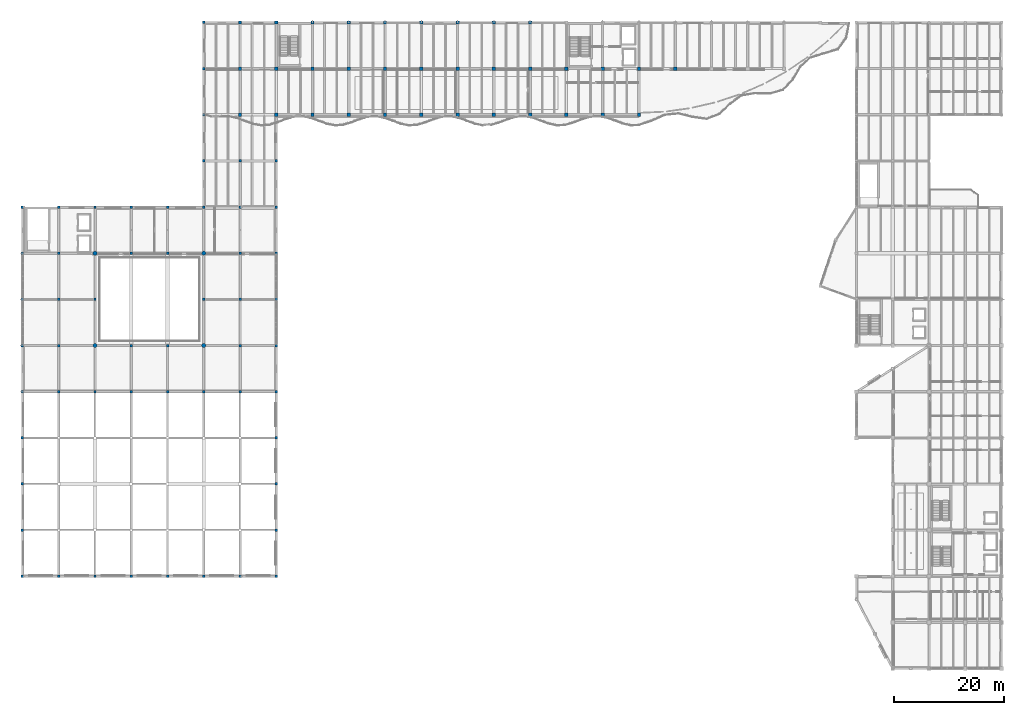
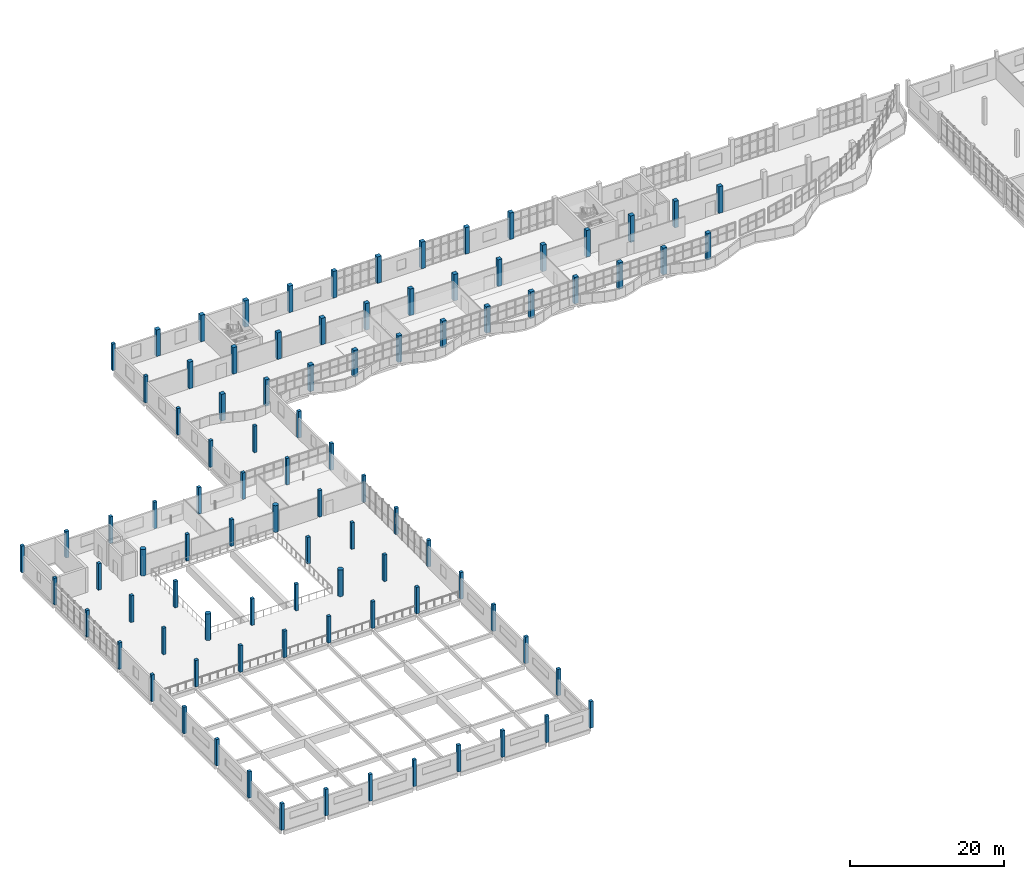
# One storey, part 1 of 74: 92 columns.
"""IFC4 building model written with IfcOpenShell, lengths in metres."""

from ifc_helpers import new_model, si_unit, direction, frame, origin, origin_2d, place, context, subcontext, project, spatial, rectangle, circle, extrude, material, material_profile, profile_set, type_object, element, save


model = new_model("IFC4")

# Units and contexts
model_context = context("Model", 3, precision=1e-05, world=origin(), true_north=direction((0.0, 1.0)))
body_context = subcontext(model_context, "Body", "Model", "MODEL_VIEW")
ifc_project = project(units=[si_unit("LENGTHUNIT", "METRE"), si_unit("AREAUNIT", "SQUARE_METRE"), si_unit("VOLUMEUNIT", "CUBIC_METRE"), si_unit("PLANEANGLEUNIT", "RADIAN"), si_unit("MASSUNIT", "GRAM", prefix="KILO")], contexts=[model_context])

# Site, building, storey
site_placement = place(None, origin())
site = spatial("IfcSite", under=ifc_project, at=site_placement, CompositionType="ELEMENT")
building_placement = place(site_placement, origin())
building = spatial("IfcBuilding", under=site, at=building_placement, Name="Qaldarim Faculty of Natural and Applied Sciences", CompositionType="ELEMENT")
storey_placement = place(building_placement, frame((0.0, 0.0, 14.39990234375)))
storey = spatial("IfcBuildingStorey", under=building, at=storey_placement, Name="L03", CompositionType="ELEMENT", Elevation=14.39990234375)

# Columns
ifc_material_1 = material(Name="Concrete C50/60", Category="concrete")
ifc_material_profile_1 = material_profile(ifc_material_1, circle(Radius=0.375, at=origin_2d()), Name="RC-D750")
ifc_profile_set_1 = profile_set([ifc_material_profile_1], Name="Concrete C50/60")
column_type_1 = type_object("IfcColumnType", Name="AtriumPier-RCD750", PredefinedType="COLUMN", material=ifc_profile_set_1)
for number, where, z_axis, x_axis, name in (
    (1, (13.199951171875, 58.800048828125, 0.0), (0.0, 0.0, 1.0), (1.0, 0.0, 0.0), "Column X03/Y08 L03"),
    (2, (13.199951171875, 75.60009765625, 0.0), (0.0, 0.0, 1.0), (1.0, 0.0, 0.0), "Column X03/Y10 L03"),
    (3, (33.0, 58.800048828125, 0.0), (0.0, 0.0, 1.0), (1.0, 0.0, 0.0), "Column X06/Y08 L03"),
    (4, (33.0, 75.60009765625, 0.0), (0.0, 0.0, 1.0), (1.0, 0.0, 0.0), "Column X06/Y10 L03"),
):
    element("IfcColumn", number, at=place(storey_placement, frame(where, z_axis=z_axis, x_axis=x_axis)), inside=storey, type_object=column_type_1, Name=name, PredefinedType="COLUMN", context=body_context, shape_type="SweptSolid", body=[
        extrude(circle(Radius=0.375, at=origin_2d()), origin(), (0.0, 0.0, 1.0), 4.2001953125),
    ])
ifc_material_2 = material(Name="Concrete C40/50", Category="concrete")
ifc_material_profile_2 = material_profile(ifc_material_2, rectangle(XDim=0.449951171875, YDim=0.449951171875, at=origin_2d()), Name="RC-C450x450")
ifc_profile_set_2 = profile_set([ifc_material_profile_2], Name="Concrete C40/50")
column_type_2 = type_object("IfcColumnType", Name="Column-RC450x450", PredefinedType="COLUMN", material=ifc_profile_set_2)
for number, where, z_axis, x_axis, name in (
    (5, (0.0, 16.800048828125, 0.0), (0.0, 0.0, 1.0), (1.0, 0.0, 0.0), "Column X01/Y03 L03"),
    (6, (0.0, 25.199951171875, 0.0), (0.0, 0.0, 1.0), (1.0, 0.0, 0.0), "Column X01/Y04 L03"),
    (7, (0.0, 33.60009765625, 0.0), (0.0, 0.0, 1.0), (1.0, 0.0, 0.0), "Column X01/Y05 L03"),
    (8, (0.0, 42.0, 0.0), (0.0, 0.0, 1.0), (1.0, 0.0, 0.0), "Column X01/Y06 L03"),
    (9, (0.0, 50.39990234375, 0.0), (0.0, 0.0, 1.0), (1.0, 0.0, 0.0), "Column X01/Y07 L03"),
    (10, (0.0, 58.800048828125, 0.0), (0.0, 0.0, 1.0), (1.0, 0.0, 0.0), "Column X01/Y08 L03"),
    (11, (0.0, 67.199951171875, 0.0), (0.0, 0.0, 1.0), (1.0, 0.0, 0.0), "Column X01/Y09 L03"),
    (12, (0.0, 75.60009765625, 0.0), (0.0, 0.0, 1.0), (1.0, 0.0, 0.0), "Column X01/Y10 L03"),
    (13, (0.0, 84.0, 0.0), (0.0, 0.0, 1.0), (1.0, 0.0, 0.0), "Column X01/Y11 L03"),
    (14, (6.60009765625, 16.800048828125, 0.0), (0.0, 0.0, 1.0), (1.0, 0.0, 0.0), "Column X02/Y03 L03"),
    (15, (6.60009765625, 50.39990234375, 0.0), (0.0, 0.0, 1.0), (1.0, 0.0, 0.0), "Column X02/Y07 L03"),
    (16, (6.60009765625, 58.800048828125, 0.0), (0.0, 0.0, 1.0), (1.0, 0.0, 0.0), "Column X02/Y08 L03"),
    (17, (6.60009765625, 67.199951171875, 0.0), (0.0, 0.0, 1.0), (1.0, 0.0, 0.0), "Column X02/Y09 L03"),
    (18, (6.60009765625, 75.60009765625, 0.0), (0.0, 0.0, 1.0), (1.0, 0.0, 0.0), "Column X02/Y10 L03"),
    (19, (6.60009765625, 84.0, 0.0), (0.0, 0.0, 1.0), (1.0, 0.0, 0.0), "Column X02/Y11 L03"),
    (20, (13.199951171875, 16.800048828125, 0.0), (0.0, 0.0, 1.0), (1.0, 0.0, 0.0), "Column X03/Y03 L03"),
    (21, (13.199951171875, 50.39990234375, 0.0), (0.0, 0.0, 1.0), (1.0, 0.0, 0.0), "Column X03/Y07 L03"),
    (22, (13.199951171875, 67.199951171875, 0.0), (0.0, 0.0, 1.0), (1.0, 0.0, 0.0), "Column X03/Y09 L03"),
    (23, (13.199951171875, 84.0, 0.0), (0.0, 0.0, 1.0), (1.0, 0.0, 0.0), "Column X03/Y11 L03"),
    (24, (19.800048828125, 16.800048828125, 0.0), (0.0, 0.0, 1.0), (1.0, 0.0, 0.0), "Column X04/Y03 L03"),
    (25, (19.800048828125, 50.39990234375, 0.0), (0.0, 0.0, 1.0), (1.0, 0.0, 0.0), "Column X04/Y07 L03"),
    (26, (19.800048828125, 58.800048828125, 0.0), (0.0, 0.0, 1.0), (1.0, 0.0, 0.0), "Column X04/Y08 L03"),
    (27, (19.800048828125, 75.60009765625, 0.0), (0.0, 0.0, 1.0), (1.0, 0.0, 0.0), "Column X04/Y10 L03"),
    (28, (19.800048828125, 84.0, 0.0), (0.0, 0.0, 1.0), (1.0, 0.0, 0.0), "Column X04/Y11 L03"),
    (29, (26.39990234375, 16.800048828125, 0.0), (0.0, 0.0, 1.0), (1.0, 0.0, 0.0), "Column X05/Y03 L03"),
    (30, (26.39990234375, 50.39990234375, 0.0), (0.0, 0.0, 1.0), (1.0, 0.0, 0.0), "Column X05/Y07 L03"),
    (31, (26.39990234375, 58.800048828125, 0.0), (0.0, 0.0, 1.0), (1.0, 0.0, 0.0), "Column X05/Y08 L03"),
    (32, (26.39990234375, 75.60009765625, 0.0), (0.0, 0.0, 1.0), (1.0, 0.0, 0.0), "Column X05/Y10 L03"),
    (33, (26.39990234375, 84.0, 0.0), (0.0, 0.0, 1.0), (1.0, 0.0, 0.0), "Column X05/Y11 L03"),
    (34, (33.0, 16.800048828125, 0.0), (0.0, 0.0, 1.0), (1.0, 0.0, 0.0), "Column X06/Y03 L03"),
    (35, (33.0, 50.39990234375, 0.0), (0.0, 0.0, 1.0), (1.0, 0.0, 0.0), "Column X06/Y07 L03"),
    (36, (33.0, 67.199951171875, 0.0), (0.0, 0.0, 1.0), (1.0, 0.0, 0.0), "Column X06/Y09 L03"),
    (37, (33.0, 84.0, 0.0), (0.0, 0.0, 1.0), (1.0, 0.0, 0.0), "Column X06/Y11 L03"),
    (38, (33.0, 92.39990234375, 0.0), (0.0, 0.0, 1.0), (1.0, 0.0, 0.0), "Column X06/Y12 L03"),
    (39, (33.0, 100.800048828125, 0.0), (0.0, 0.0, 1.0), (1.0, 0.0, 0.0), "Column X06/Y13 L03"),
    (40, (33.0, 109.199951171875, 0.0), (0.0, 0.0, 1.0), (1.0, 0.0, 0.0), "Column X06/Y14 L03"),
    (41, (33.0, 117.60009765625, 0.0), (0.0, 0.0, 1.0), (1.0, 0.0, 0.0), "Column X06/Y15 L03"),
    (42, (39.60009765625, 16.800048828125, 0.0), (0.0, 0.0, 1.0), (1.0, 0.0, 0.0), "Column X07/Y03 L03"),
    (43, (39.60009765625, 50.39990234375, 0.0), (0.0, 0.0, 1.0), (1.0, 0.0, 0.0), "Column X07/Y07 L03"),
    (44, (39.60009765625, 58.800048828125, 0.0), (0.0, 0.0, 1.0), (1.0, 0.0, 0.0), "Column X07/Y08 L03"),
    (45, (39.60009765625, 67.199951171875, 0.0), (0.0, 0.0, 1.0), (1.0, 0.0, 0.0), "Column X07/Y09 L03"),
    (46, (39.60009765625, 75.60009765625, 0.0), (0.0, 0.0, 1.0), (1.0, 0.0, 0.0), "Column X07/Y10 L03"),
    (47, (39.60009765625, 84.0, 0.0), (0.0, 0.0, 1.0), (1.0, 0.0, 0.0), "Column X07/Y11 L03"),
    (48, (39.60009765625, 92.39990234375, 0.0), (0.0, 0.0, 1.0), (1.0, 0.0, 0.0), "Column X07/Y12 L03"),
    (49, (46.199951171875, 16.800048828125, 0.0), (0.0, 0.0, 1.0), (1.0, 0.0, 0.0), "Column X08/Y03 L03"),
    (50, (46.199951171875, 25.199951171875, 0.0), (0.0, 0.0, 1.0), (1.0, 0.0, 0.0), "Column X08/Y04 L03"),
    (51, (46.199951171875, 33.60009765625, 0.0), (0.0, 0.0, 1.0), (1.0, 0.0, 0.0), "Column X08/Y05 L03"),
    (52, (46.199951171875, 42.0, 0.0), (0.0, 0.0, 1.0), (1.0, 0.0, 0.0), "Column X08/Y06 L03"),
    (53, (46.199951171875, 50.39990234375, 0.0), (0.0, 0.0, 1.0), (1.0, 0.0, 0.0), "Column X08/Y07 L03"),
    (54, (46.199951171875, 58.800048828125, 0.0), (0.0, 0.0, 1.0), (1.0, 0.0, 0.0), "Column X08/Y08 L03"),
    (55, (46.199951171875, 67.199951171875, 0.0), (0.0, 0.0, 1.0), (1.0, 0.0, 0.0), "Column X08/Y09 L03"),
    (56, (46.199951171875, 75.60009765625, 0.0), (0.0, 0.0, 1.0), (1.0, 0.0, 0.0), "Column X08/Y10 L03"),
    (57, (46.199951171875, 84.0, 0.0), (0.0, 0.0, 1.0), (1.0, 0.0, 0.0), "Column X08/Y11 L03"),
    (58, (46.199951171875, 92.39990234375, 0.0), (0.0, 0.0, 1.0), (1.0, 0.0, 0.0), "Column X08/Y12 L03"),
):
    element("IfcColumn", number, at=place(storey_placement, frame(where, z_axis=z_axis, x_axis=x_axis)), inside=storey, type_object=column_type_2, Name=name, PredefinedType="COLUMN", context=body_context, shape_type="SweptSolid", body=[
        extrude(rectangle(XDim=0.449951171875, YDim=0.449951171875, at=origin_2d()), origin(), (0.0, 0.0, 1.0), 4.2001953125),
    ])
ifc_material_profile_3 = material_profile(ifc_material_1, rectangle(XDim=0.60009765625, YDim=0.60009765625, at=origin_2d()), Name="RC-C600x600")
ifc_profile_set_3 = profile_set([ifc_material_profile_3], Name="Concrete C50/60")
column_type_3 = type_object("IfcColumnType", Name="Column-RC600x600", PredefinedType="COLUMN", material=ifc_profile_set_3)
for number, where, z_axis, x_axis, name in (
    (59, (39.60009765625, 100.800048828125, 0.0), (0.0, 0.0, 1.0), (1.0, 0.0, 0.0), "Column X07/Y13 L03"),
    (60, (39.60009765625, 109.199951171875, 0.0), (0.0, 0.0, 1.0), (1.0, 0.0, 0.0), "Column X07/Y14 L03"),
    (61, (39.60009765625, 117.60009765625, 0.0), (0.0, 0.0, 1.0), (1.0, 0.0, 0.0), "Column X07/Y15 L03"),
    (62, (46.199951171875, 100.800048828125, 0.0), (0.0, 0.0, 1.0), (1.0, 0.0, 0.0), "Column X08/Y13 L03"),
    (63, (46.199951171875, 109.199951171875, 0.0), (0.0, 0.0, 1.0), (1.0, 0.0, 0.0), "Column X08/Y14 L03"),
    (64, (46.199951171875, 117.60009765625, 0.0), (0.0, 0.0, 1.0), (1.0, 0.0, 0.0), "Column X08/Y15 L03"),
    (65, (52.800048828125, 100.800048828125, 0.0), (0.0, 0.0, 1.0), (1.0, 0.0, 0.0), "Column X09/Y13 L03"),
    (66, (52.800048828125, 109.199951171875, 0.0), (0.0, 0.0, 1.0), (1.0, 0.0, 0.0), "Column X09/Y14 L03"),
    (67, (52.800048828125, 117.60009765625, 0.0), (0.0, 0.0, 1.0), (1.0, 0.0, 0.0), "Column X09/Y15 L03"),
    (68, (59.39990234375, 100.800048828125, 0.0), (0.0, 0.0, 1.0), (1.0, 0.0, 0.0), "Column X10/Y13 L03"),
    (69, (59.39990234375, 109.199951171875, 0.0), (0.0, 0.0, 1.0), (1.0, 0.0, 0.0), "Column X10/Y14 L03"),
    (70, (59.39990234375, 117.60009765625, 0.0), (0.0, 0.0, 1.0), (1.0, 0.0, 0.0), "Column X10/Y15 L03"),
    (71, (66.0, 100.800048828125, 0.0), (0.0, 0.0, 1.0), (1.0, 0.0, 0.0), "Column X11/Y13 L03"),
    (72, (66.0, 109.199951171875, 0.0), (0.0, 0.0, 1.0), (1.0, 0.0, 0.0), "Column X11/Y14 L03"),
    (73, (66.0, 117.60009765625, 0.0), (0.0, 0.0, 1.0), (1.0, 0.0, 0.0), "Column X11/Y15 L03"),
    (74, (72.60009765625, 100.800048828125, 0.0), (0.0, 0.0, 1.0), (1.0, 0.0, 0.0), "Column X12/Y13 L03"),
    (75, (72.60009765625, 109.199951171875, 0.0), (0.0, 0.0, 1.0), (1.0, 0.0, 0.0), "Column X12/Y14 L03"),
    (76, (72.60009765625, 117.60009765625, 0.0), (0.0, 0.0, 1.0), (1.0, 0.0, 0.0), "Column X12/Y15 L03"),
    (77, (79.199951171875, 100.800048828125, 0.0), (0.0, 0.0, 1.0), (1.0, 0.0, 0.0), "Column X13/Y13 L03"),
    (78, (79.199951171875, 109.199951171875, 0.0), (0.0, 0.0, 1.0), (1.0, 0.0, 0.0), "Column X13/Y14 L03"),
    (79, (79.199951171875, 117.60009765625, 0.0), (0.0, 0.0, 1.0), (1.0, 0.0, 0.0), "Column X13/Y15 L03"),
    (80, (85.800048828125, 100.800048828125, 0.0), (0.0, 0.0, 1.0), (1.0, 0.0, 0.0), "Column X14/Y13 L03"),
    (81, (85.800048828125, 109.199951171875, 0.0), (0.0, 0.0, 1.0), (1.0, 0.0, 0.0), "Column X14/Y14 L03"),
    (82, (85.800048828125, 117.60009765625, 0.0), (0.0, 0.0, 1.0), (1.0, 0.0, 0.0), "Column X14/Y15 L03"),
    (83, (92.39990234375, 100.800048828125, 0.0), (0.0, 0.0, 1.0), (1.0, 0.0, 0.0), "Column X15/Y13 L03"),
    (84, (92.39990234375, 109.199951171875, 0.0), (0.0, 0.0, 1.0), (1.0, 0.0, 0.0), "Column X15/Y14 L03"),
    (85, (92.39990234375, 117.60009765625, 0.0), (0.0, 0.0, 1.0), (1.0, 0.0, 0.0), "Column X15/Y15 L03"),
    (86, (99.0, 100.800048828125, 0.0), (0.0, 0.0, 1.0), (1.0, 0.0, 0.0), "Column X16/Y13 L03"),
    (87, (99.0, 109.199951171875, 0.0), (0.0, 0.0, 1.0), (1.0, 0.0, 0.0), "Column X16/Y14 L03"),
    (88, (105.60009765625, 100.800048828125, 0.0), (0.0, 0.0, 1.0), (1.0, 0.0, 0.0), "Column X17/Y13 L03"),
    (89, (105.60009765625, 109.199951171875, 0.0), (0.0, 0.0, 1.0), (1.0, 0.0, 0.0), "Column X17/Y14 L03"),
    (90, (112.199951171875, 100.800048828125, 0.0), (0.0, 0.0, 1.0), (1.0, 0.0, 0.0), "Column X18/Y13 L03"),
    (91, (112.199951171875, 109.199951171875, 0.0), (0.0, 0.0, 1.0), (1.0, 0.0, 0.0), "Column X18/Y14 L03"),
    (92, (118.800048828125, 109.199951171875, 0.0), (0.0, 0.0, 1.0), (1.0, 0.0, 0.0), "Column X19/Y14 L03"),
):
    element("IfcColumn", number, at=place(storey_placement, frame(where, z_axis=z_axis, x_axis=x_axis)), inside=storey, type_object=column_type_3, Name=name, PredefinedType="COLUMN", context=body_context, shape_type="SweptSolid", body=[
        extrude(rectangle(XDim=0.60009765625, YDim=0.60009765625, at=origin_2d()), origin(), (0.0, 0.0, 1.0), 4.2001953125),
    ])

save(model, "model.ifc")
